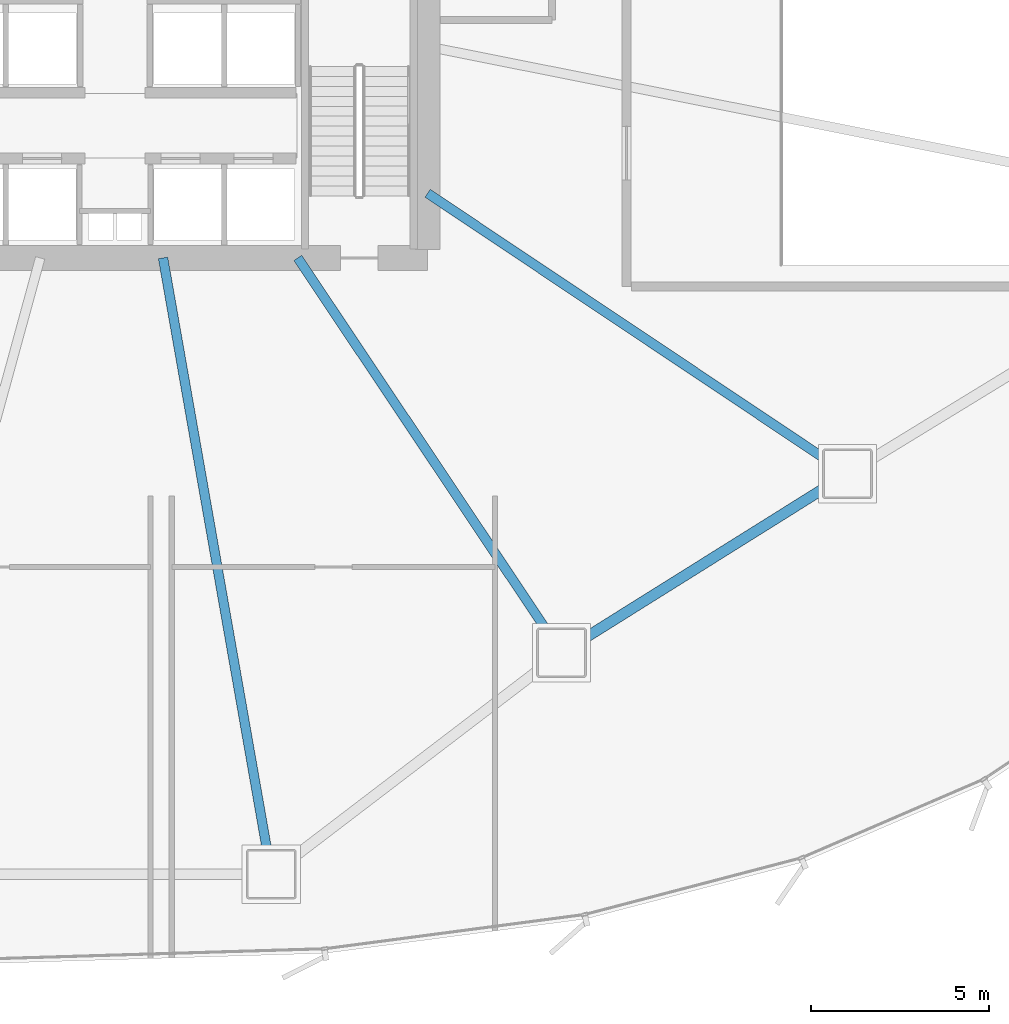
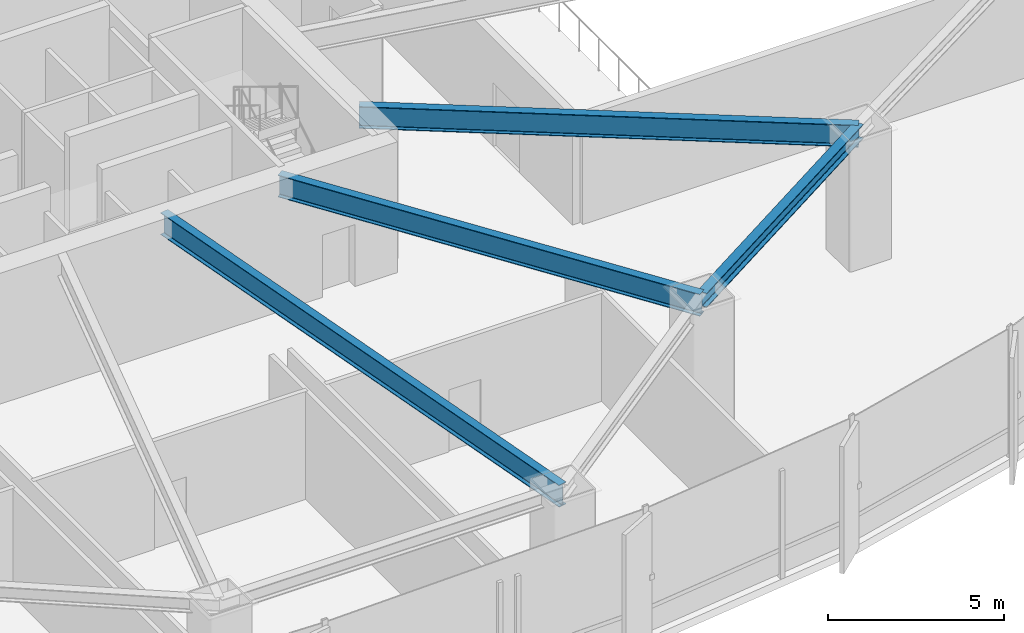
# One storey, part 9 of 34: 4 beams.
"""IFC4 building model written with IfcOpenShell, lengths in metres."""

from ifc_helpers import new_model, si_unit, direction, frame, origin, origin_2d, place, context, subcontext, project, spatial, i_section, extrude, source, transform, mapped, material, material_profile, profile_set, type_object, element, save


model = new_model("IFC4")

# Units and contexts
model_context = context("Model", 3, precision=1e-05, world=origin(), true_north=direction((0.0, 1.0)))
body_context = subcontext(model_context, "Body", "Model", "MODEL_VIEW")
ifc_project = project(units=[si_unit("LENGTHUNIT", "METRE"), si_unit("AREAUNIT", "SQUARE_METRE"), si_unit("VOLUMEUNIT", "CUBIC_METRE"), si_unit("PLANEANGLEUNIT", "RADIAN"), si_unit("MASSUNIT", "GRAM", prefix="KILO"), si_unit("THERMODYNAMICTEMPERATUREUNIT", "KELVIN")], contexts=[model_context])

# Site, building, storey
site_placement = place(None, origin())
site = spatial("IfcSite", under=ifc_project, at=site_placement, CompositionType="ELEMENT")
building_placement = place(site_placement, origin())
building = spatial("IfcBuilding", under=site, at=building_placement, Name="Kethvar Cultural Tower", CompositionType="ELEMENT")
storey_placement = place(building_placement, frame((0.0, 0.0, 14.800048828125)))
storey = spatial("IfcBuildingStorey", under=building, at=storey_placement, Name="L03", CompositionType="ELEMENT", Elevation=14.800048828125)

# Beams
ifc_material = material(Name="Steel S355J2", Category="steel")
ifc_material_profile_1 = material_profile(ifc_material, i_section(OverallWidth=0.300048828125, OverallDepth=0.5, WebThickness=0.014404296875, FlangeThickness=0.028076171875, FilletRadius=0.027099609375, at=origin_2d()), Name="Steel S355J2 — HEB500")
ifc_profile_set_1 = profile_set([ifc_material_profile_1], Name="Steel S355J2 — HEB500")
beam_type_1 = type_object("IfcBeamType", Name="BM-SP500", PredefinedType="SPANDREL", material=ifc_profile_set_1)
shared_shape_1 = source(origin(), body_context, "Body", "SweptSolid", [
    extrude(i_section(OverallWidth=0.300048828125, OverallDepth=0.5, WebThickness=0.014404296875, FlangeThickness=0.028076171875, FilletRadius=0.027099609375, at=origin_2d()), origin(), (0.0, 0.0, 1.0), 9.493896484375),
])
beam_1_placement = place(storey_placement, frame((59.370361328125, 8.987060546875, 4.27783203125), z_axis=(0.847710685997, 0.530458851228, 0.0), x_axis=(-0.530458851228, 0.847710685997, 0.0)))
element("IfcBeam", 1, at=beam_1_placement, inside=storey, type_object=beam_type_1, Name="L03 Podium Ring Beam 14", PredefinedType="SPANDREL", context=body_context, shape_type="MappedRepresentation", body=[
    mapped(shared_shape_1, transform((0.0, 0.0, 0.0), scale=1.0)),
])
ifc_material_profile_2 = material_profile(ifc_material, i_section(OverallWidth=0.26708984375, OverallDepth=0.761962890625, WebThickness=0.014404296875, FlangeThickness=0.021484375, FilletRadius=0.01708984375, at=origin_2d()), Name="Steel S355J2 — IPE750x173")
ifc_profile_set_2 = profile_set([ifc_material_profile_2], Name="Steel S355J2 — IPE750x173")
beam_type_2 = type_object("IfcBeamType", Name="BM-IPE750", PredefinedType="BEAM", material=ifc_profile_set_2)
shared_shape_2 = source(origin(), body_context, "Body", "SweptSolid", [
    extrude(i_section(OverallWidth=0.26708984375, OverallDepth=0.761962890625, WebThickness=0.014404296875, FlangeThickness=0.021484375, FilletRadius=0.01708984375, at=origin_2d()), origin(), (0.0, 0.0, 1.0), 17.61572265625),
])
beam_2_placement = place(storey_placement, frame((48.152587890625, 20.10009765625, 4.14697265625), z_axis=(0.172991485085, -0.984923319903, 0.0), x_axis=(0.984923319903, 0.172991485085, 0.0)))
element("IfcBeam", 2, at=beam_2_placement, inside=storey, type_object=beam_type_2, Name="L03 Podium Radial Girder 13", PredefinedType="BEAM", context=body_context, shape_type="MappedRepresentation", body=[
    mapped(shared_shape_2, transform((0.0, 0.0, 0.0), scale=1.0)),
])
shared_shape_3 = source(origin(), body_context, "Body", "SweptSolid", [
    extrude(i_section(OverallWidth=0.26708984375, OverallDepth=0.761962890625, WebThickness=0.014404296875, FlangeThickness=0.021484375, FilletRadius=0.01708984375, at=origin_2d()), origin(), (0.0, 0.0, 1.0), 13.365478515625),
])
beam_3_placement = place(storey_placement, frame((51.945068359375, 20.10009765625, 4.14697265625), z_axis=(0.555559834465, -0.831476560301, 0.0), x_axis=(0.831476560301, 0.555559834465, 0.0)))
element("IfcBeam", 3, at=beam_3_placement, inside=storey, type_object=beam_type_2, Name="L03 Podium Radial Girder 14", PredefinedType="BEAM", context=body_context, shape_type="MappedRepresentation", body=[
    mapped(shared_shape_3, transform((0.0, 0.0, 0.0), scale=1.0)),
])
shared_shape_4 = source(origin(), body_context, "Body", "SweptSolid", [
    extrude(i_section(OverallWidth=0.26708984375, OverallDepth=0.761962890625, WebThickness=0.014404296875, FlangeThickness=0.021484375, FilletRadius=0.01708984375, at=origin_2d()), origin(), (0.0, 0.0, 1.0), 14.2138671875),
])
beam_4_placement = place(storey_placement, frame((55.60009765625, 21.920166015625, 4.14697265625), z_axis=(0.831463197362, -0.555579833537, 0.0), x_axis=(0.555579833537, 0.831463197362, 0.0)))
element("IfcBeam", 4, at=beam_4_placement, inside=storey, type_object=beam_type_2, Name="L03 Podium Radial Girder 15", PredefinedType="BEAM", context=body_context, shape_type="MappedRepresentation", body=[
    mapped(shared_shape_4, transform((0.0, 0.0, 0.0), scale=1.0)),
])

save(model, "model.ifc")
